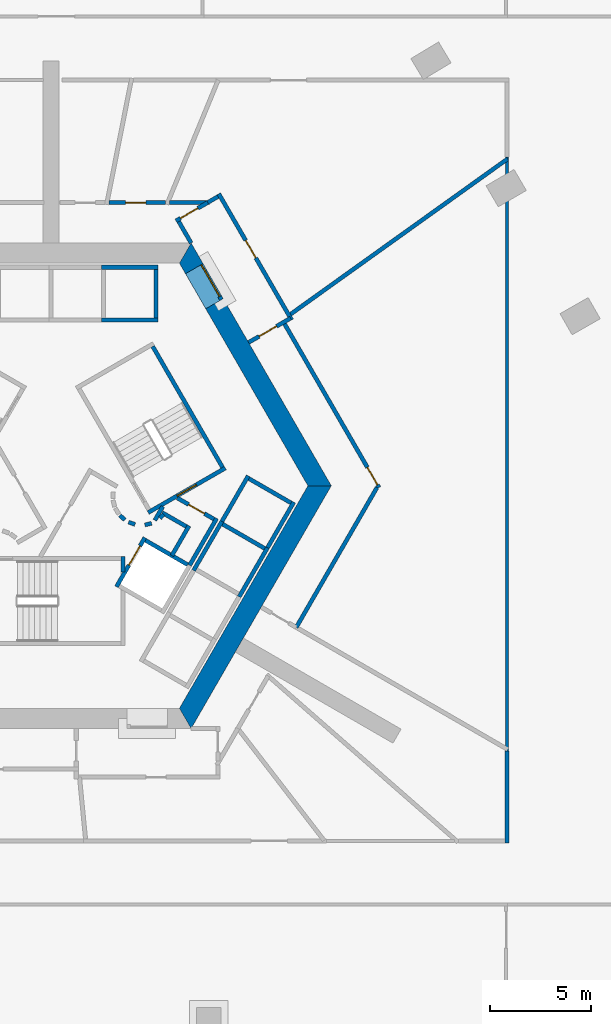
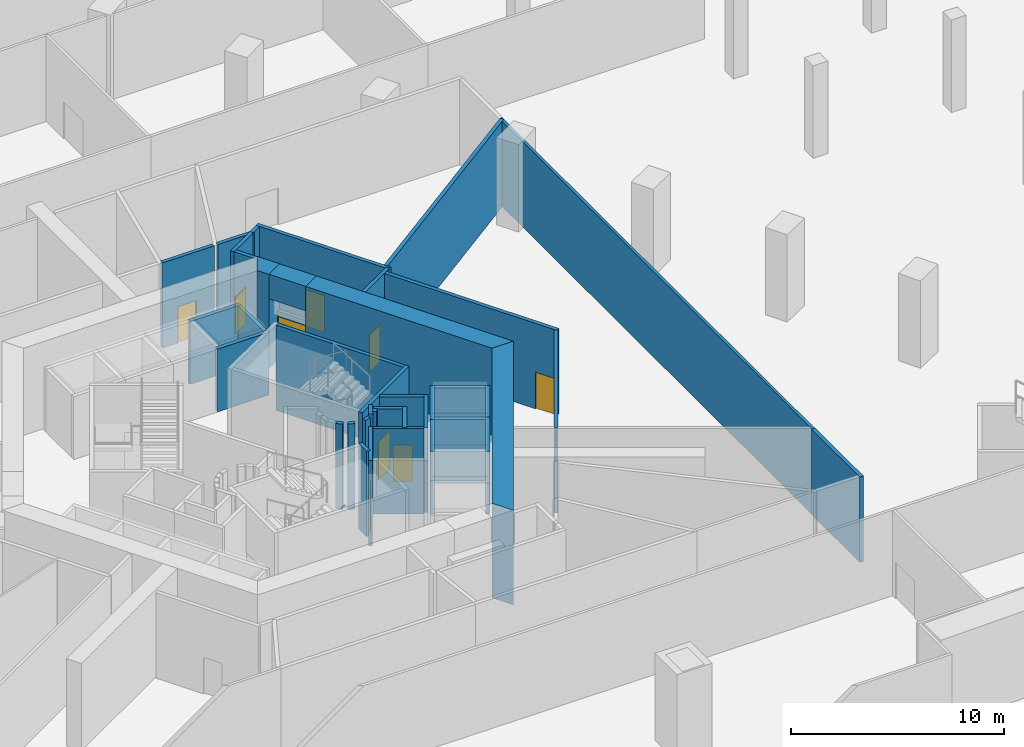
# One storey, part 9 of 20: 40 walls, 9 doors, 9 openings.
"""IFC4 building model written with IfcOpenShell, lengths in metres."""

from ifc_helpers import new_model, si_unit, direction, frame, frame_2d, origin, place, context, subcontext, project, spatial, polyline, rectangle, outline, extrude, material, layer, layer_set, type_object, element, fill, save


model = new_model("IFC4")

# Units and contexts
model_context = context("Model", 3, precision=1e-05, world=origin(), true_north=direction((0.0, 1.0)))
body_context = subcontext(model_context, "Body", "Model", "MODEL_VIEW")
ifc_project = project(units=[si_unit("LENGTHUNIT", "METRE"), si_unit("AREAUNIT", "SQUARE_METRE"), si_unit("VOLUMEUNIT", "CUBIC_METRE"), si_unit("PLANEANGLEUNIT", "RADIAN"), si_unit("MASSUNIT", "GRAM", prefix="KILO")], contexts=[model_context])

# Site, building, storey
site_placement = place(None, origin())
site = spatial("IfcSite", under=ifc_project, at=site_placement, CompositionType="ELEMENT")
building_placement = place(site_placement, origin())
building = spatial("IfcBuilding", under=site, at=building_placement, Name="Entoto Arch Interchange Tower", CompositionType="ELEMENT")
storey_placement = place(building_placement, frame((0.0, 0.0, -5.5)))
storey = spatial("IfcBuildingStorey", under=building, at=storey_placement, Name="B1", CompositionType="ELEMENT", Elevation=-5.5)

# Wall, opening, door
ifc_material_1 = material(Name="Reinforced concrete C40/50", Category="concrete")
ifc_layer_1 = layer(ifc_material_1, 0.199951171875)
ifc_layer_set_1 = layer_set([ifc_layer_1], Name="Reinforced concrete C40/50")
wall_type_1 = type_object("IfcWallType", Name="CORE GAP INFILL WALL", PredefinedType="PARTITIONING", material=ifc_layer_set_1)
wall_1_placement = place(storey_placement, frame((8.429931640625, 11.697998046875, 0.0), z_axis=(0.0, 0.0, 1.0), x_axis=(-0.50002537861, 0.866010750942, 0.0)))
wall_1 = element("IfcWall", 1, at=wall_1_placement, inside=storey, type_object=wall_type_1, Name="wall:B1:gap2", PredefinedType="PARTITIONING", context=body_context, shape_type="SweptSolid", body=[
    extrude(rectangle(XDim=2.0, YDim=0.199951171875, at=frame_2d((1.0, 0.0))), origin(), (0.0, 0.0, 1.0), 2.39990234375),
])
opening_1_placement = place(wall_1_placement, frame((0.18994140625, 0.0, 0.0)))
opening_1 = element("IfcOpeningElement", 2, at=opening_1_placement, cuts=wall_1, Name="Opening B1-D92", PredefinedType="OPENING", context=body_context, shape_type="SweptSolid", body=[
    extrude(rectangle(XDim=1.800048828125, YDim=2.10009765625, at=frame_2d((0.89990234375, 1.050048828125))), frame((0.0, 0.10986328125, 0.0), z_axis=(0.0, -1.0, 0.0), x_axis=(1.0, 0.0, 0.0)), (0.0, 0.0, 1.0), 0.219970703125),
])
ifc_material_2 = material(Name="Fire-rated Steel S235 door and frame", Category="steel")
door_type_1 = type_object("IfcDoorType", Name="DOOR FD-18 1800x2100", OperationType="DOUBLE_DOOR_SINGLE_SWING", PredefinedType="DOOR", material=ifc_material_2)
door_1_placement = place(opening_1_placement, origin())
door_1 = element("IfcDoor", 3, at=door_1_placement, inside=storey, type_object=door_type_1, Name="door:B1:gap2", OperationType="DOUBLE_DOOR_SINGLE_SWING", OverallHeight=2.10009765625, OverallWidth=1.800048828125, PredefinedType="DOOR", context=body_context, shape_type="SweptSolid", body=[
    extrude(rectangle(XDim=1.800048828125, YDim=2.10009765625, at=frame_2d((0.89990234375, 1.050048828125))), frame((0.0, 0.02490234375, 0.0), z_axis=(0.0, -1.0, 0.0), x_axis=(1.0, 0.0, 0.0)), (0.0, 0.0, 1.0), 0.050048828125),
])
fill(opening_1, door_1)

# Walls
ifc_material_3 = material(Name="Concrete C60/75", Category="concrete")
ifc_layer_2 = layer(ifc_material_3, 1.0)
ifc_layer_set_2 = layer_set([ifc_layer_2], Name="Concrete C60/75")
wall_type_2 = type_object("IfcWallType", Name="Core wall 1000 C60/75", PredefinedType="SHEAR", material=ifc_layer_set_2)
wall_2_placement = place(storey_placement, frame((0.0, 0.0, -0.419921875)))
element("IfcWall", 4, at=wall_2_placement, inside=storey, type_object=wall_type_2, Name="Core wall NE B1", PredefinedType="SHEAR", context=body_context, shape_type="SweptSolid", body=[
    extrude(outline(polyline([(8.51708984375, 11.748046875), (7.65087890625, 11.248046875), (12.701904296875, 2.5), (13.85595703125, 2.5), (8.51708984375, 11.748046875)])), origin(), (0.0, 0.0, 1.0), 5.419921875),
])
wall_3_placement = place(storey_placement, frame((0.0, 0.0, -0.419921875)))
element("IfcWall", 5, at=wall_3_placement, inside=storey, type_object=wall_type_2, Name="Core wall NE B1", PredefinedType="SHEAR", context=body_context, shape_type="SweptSolid", body=[
    extrude(outline(polyline([(6.65087890625, 12.97998046875), (7.51708984375, 13.47998046875), (6.927978515625, 14.5), (6.35107421875, 13.5), (6.65087890625, 12.97998046875)])), origin(), (0.0, 0.0, 1.0), 5.419921875),
])
wall_4_placement = place(storey_placement, frame((0.0, 0.0, 3.60009765625)))
element("IfcWall", 6, at=wall_4_placement, inside=storey, type_object=wall_type_2, Name="Core wall lintel NE B1", PredefinedType="SHEAR", context=body_context, shape_type="SweptSolid", body=[
    extrude(outline(polyline([(7.51708984375, 13.47998046875), (6.65087890625, 12.97998046875), (7.65087890625, 11.248046875), (8.51708984375, 11.748046875), (7.51708984375, 13.47998046875)])), origin(), (0.0, 0.0, 1.0), 1.39990234375),
])
wall_5_placement = place(storey_placement, frame((0.0, 0.0, -0.419921875)))
element("IfcWall", 7, at=wall_5_placement, inside=storey, type_object=wall_type_2, Name="Core wall SE B1", PredefinedType="SHEAR", context=body_context, shape_type="SweptSolid", body=[
    extrude(outline(polyline([(6.927978515625, -9.5), (13.85595703125, 2.5), (12.701904296875, 2.5), (6.35107421875, -8.5), (6.927978515625, -9.5)])), origin(), (0.0, 0.0, 1.0), 5.419921875),
])

# Wall, opening, door
ifc_material_4 = material(Name="Concrete C40/50", Category="concrete")
ifc_layer_3 = layer(ifc_material_4, 0.199951171875)
ifc_layer_set_3 = layer_set([ifc_layer_3], Name="Concrete C40/50")
wall_type_3 = type_object("IfcWallType", Name="LIFT SHAFT WALL 200", PredefinedType="STANDARD", material=ifc_layer_set_3)
wall_6_placement = place(storey_placement, frame((3.239990234375, -2.488037109375, 0.0), z_axis=(0.0, 0.0, 1.0), x_axis=(0.49994636267, 0.866056369097, 0.0)))
wall_6 = element("IfcWall", 8, at=wall_6_placement, inside=storey, type_object=wall_type_3, Name="Shaft wall SE1 front", PredefinedType="STANDARD", context=body_context, shape_type="SweptSolid", body=[
    extrude(rectangle(XDim=2.800048828125, YDim=0.199951171875, at=frame_2d((1.39990234375, 0.0))), origin(), (0.0, 0.0, 1.0), 4.89990234375),
])
opening_2_placement = place(wall_6_placement, frame((1.22509765625, 0.0, 0.0)))
opening_2 = element("IfcOpeningElement", 9, at=opening_2_placement, cuts=wall_6, Name="Opening LD-FF1-B1", PredefinedType="OPENING", context=body_context, shape_type="SweptSolid", body=[
    extrude(rectangle(XDim=1.10009765625, YDim=2.10009765625, at=frame_2d((0.550048828125, 1.050048828125))), frame((0.0, 0.10986328125, 0.0), z_axis=(0.0, -1.0, 0.0), x_axis=(1.0, 0.0, 0.0)), (0.0, 0.0, 1.0), 0.219970703125),
])
ifc_material_5 = material(Name="Stainless steel 1.4301 panels", Category="steel")
door_type_2 = type_object("IfcDoorType", Name="LIFT LANDING DOOR LD1 1100x2100", OperationType="SLIDING_TO_LEFT", PredefinedType="DOOR", material=ifc_material_5)
door_2_placement = place(opening_2_placement, origin())
door_2 = element("IfcDoor", 10, at=door_2_placement, inside=storey, type_object=door_type_2, Name="Lift landing door FF1 B1", OperationType="SLIDING_TO_LEFT", OverallHeight=2.10009765625, OverallWidth=1.10009765625, PredefinedType="DOOR", context=body_context, shape_type="SweptSolid", body=[
    extrude(rectangle(XDim=1.10009765625, YDim=2.10009765625, at=frame_2d((0.550048828125, 1.050048828125))), frame((0.0, 0.02490234375, 0.0), z_axis=(0.0, -1.0, 0.0), x_axis=(1.0, 0.0, 0.0)), (0.0, 0.0, 1.0), 0.050048828125),
])
fill(opening_2, door_2)

# Walls
wall_7_placement = place(storey_placement, frame((4.677001953125, -0.199951171875, 0.0), z_axis=(0.0, 0.0, 1.0), x_axis=(0.865973769406, -0.500089422704, 0.0)))
element("IfcWall", 11, at=wall_7_placement, inside=storey, type_object=wall_type_3, Name="Shaft wall SE1 cross 2", PredefinedType="STANDARD", context=body_context, shape_type="SweptSolid", body=[
    extrude(rectangle(XDim=2.3994140625, YDim=0.199951171875, at=frame_2d((1.19970703125, 0.0))), origin(), (0.0, 0.0, 1.0), 4.89990234375),
])
for number, where, z_axis, x_axis, name in (
    (12, (5.300048828125, 10.699951171875, 0.0), (0.0, 0.0, 1.0), (-1.0, 0.0, 0.0), "Pit wall LR1 1"),
    (13, (5.300048828125, 13.300048828125, 0.0), (0.0, 0.0, 1.0), (-1.0, 0.0, 0.0), "Pit wall LR1 2"),
):
    element("IfcWall", number, at=place(storey_placement, frame(where, z_axis=z_axis, x_axis=x_axis)), inside=storey, type_object=wall_type_3, Name=name, PredefinedType="STANDARD", context=body_context, shape_type="SweptSolid", body=[
        extrude(rectangle(XDim=2.800048828125, YDim=0.199951171875, at=frame_2d((1.39990234375, 0.0))), origin(), (0.0, 0.0, 1.0), 3.60009765625),
    ])
wall_8_placement = place(storey_placement, frame((5.199951171875, 10.800048828125, 0.0), z_axis=(0.0, 0.0, 1.0), x_axis=(0.0, 1.0, 0.0)))
element("IfcWall", 14, at=wall_8_placement, inside=storey, type_object=wall_type_3, Name="Pit wall LR1 3", PredefinedType="STANDARD", context=body_context, shape_type="SweptSolid", body=[
    extrude(rectangle(XDim=2.39990234375, YDim=0.199951171875, at=frame_2d((1.199951171875, 0.0))), origin(), (0.0, 0.0, 1.0), 3.60009765625),
])
for number, where, z_axis, x_axis, name in (
    (15, (7.051025390625, -1.68701171875, 0.0), (0.0, 0.0, 1.0), (0.49994636267, 0.866056369097, 0.0), "Pit wall LR7 1"),
    (16, (9.302978515625, -2.987060546875, 0.0), (0.0, 0.0, 1.0), (0.49994636267, 0.866056369097, 0.0), "Pit wall LR7 2"),
):
    element("IfcWall", number, at=place(storey_placement, frame(where, z_axis=z_axis, x_axis=x_axis)), inside=storey, type_object=wall_type_3, Name=name, PredefinedType="STANDARD", context=body_context, shape_type="SweptSolid", body=[
        extrude(rectangle(XDim=2.800048828125, YDim=0.199951171875, at=frame_2d((1.39990234375, 0.0))), origin(), (0.0, 0.0, 1.0), 3.60009765625),
    ])
wall_9_placement = place(storey_placement, frame((8.488037109375, 0.60205078125, 0.0), z_axis=(0.0, 0.0, 1.0), x_axis=(0.865973769406, -0.500089422704, 0.0)))
element("IfcWall", 17, at=wall_9_placement, inside=storey, type_object=wall_type_3, Name="Pit wall LR7 4", PredefinedType="STANDARD", context=body_context, shape_type="SweptSolid", body=[
    extrude(rectangle(XDim=2.3994140625, YDim=0.199951171875, at=frame_2d((1.19970703125, 0.0))), origin(), (0.0, 0.0, 1.0), 3.60009765625),
])
for number, where, z_axis, x_axis, name in (
    (18, (8.35107421875, 0.56494140625, 0.0), (0.0, 0.0, 1.0), (0.49994636267, 0.866056369097, 0.0), "Pit wall LR8 1"),
    (19, (10.60302734375, -0.735107421875, 0.0), (0.0, 0.0, 1.0), (0.49994636267, 0.866056369097, 0.0), "Pit wall LR8 2"),
):
    element("IfcWall", number, at=place(storey_placement, frame(where, z_axis=z_axis, x_axis=x_axis)), inside=storey, type_object=wall_type_3, Name=name, PredefinedType="STANDARD", context=body_context, shape_type="SweptSolid", body=[
        extrude(rectangle(XDim=2.800048828125, YDim=0.199951171875, at=frame_2d((1.39990234375, 0.0))), origin(), (0.0, 0.0, 1.0), 3.60009765625),
    ])
wall_10_placement = place(storey_placement, frame((9.7880859375, 2.85302734375, 0.0), z_axis=(0.0, 0.0, 1.0), x_axis=(0.865973769406, -0.500089422704, 0.0)))
element("IfcWall", 20, at=wall_10_placement, inside=storey, type_object=wall_type_3, Name="Pit wall LR8 4", PredefinedType="STANDARD", context=body_context, shape_type="SweptSolid", body=[
    extrude(rectangle(XDim=2.3994140625, YDim=0.199951171875, at=frame_2d((1.19970703125, 0.0))), origin(), (0.0, 0.0, 1.0), 3.60009765625),
])
ifc_material_6 = material(Name="Gypsum board partition on steel studs", Category="steel")
ifc_layer_4 = layer(ifc_material_6, 0.14990234375)
ifc_layer_set_4 = layer_set([ifc_layer_4], Name="Gypsum board partition on steel studs")
wall_type_4 = type_object("IfcWallType", Name="PARTITION 150", PredefinedType="PARTITIONING", material=ifc_layer_set_4)
wall_11_placement = place(storey_placement, frame((22.550048828125, 18.742919921875, 0.0), z_axis=(0.0, 0.0, 1.0), x_axis=(0.0, -1.0, 0.0)))
element("IfcWall", 21, at=wall_11_placement, inside=storey, type_object=wall_type_4, Name="wall:B1:p042", PredefinedType="PARTITIONING", context=body_context, shape_type="SweptSolid", body=[
    extrude(rectangle(XDim=29.36181640625, YDim=0.14990234375, at=frame_2d((14.680908203125, 0.0))), origin(), (0.0, 0.0, 1.0), 4.89990234375),
])
ifc_layer_5 = layer(ifc_material_6, 0.199951171875)
ifc_layer_set_5 = layer_set([ifc_layer_5], Name="Gypsum board partition on steel studs")
wall_type_5 = type_object("IfcWallType", Name="PARTITION 200", PredefinedType="PARTITIONING", material=ifc_layer_set_5)
wall_12_placement = place(storey_placement, frame((22.550048828125, -10.618896484375, 0.0), z_axis=(0.0, 0.0, 1.0), x_axis=(0.0, -1.0, 0.0)))
element("IfcWall", 22, at=wall_12_placement, inside=storey, type_object=wall_type_5, Name="wall:B1:p025", PredefinedType="PARTITIONING", context=body_context, shape_type="SweptSolid", body=[
    extrude(rectangle(XDim=4.531005859375, YDim=0.199951171875, at=frame_2d((2.265625, 0.0))), origin(), (0.0, 0.0, 1.0), 4.89990234375),
])

# Wall, opening, door
wall_13_placement = place(storey_placement, frame((11.844970703125, 10.782958984375, 0.0), z_axis=(0.0, 0.0, 1.0), x_axis=(-0.865973769406, -0.500089422704, 0.0)))
wall_13 = element("IfcWall", 23, at=wall_13_placement, inside=storey, type_object=wall_type_5, Name="wall:B1:p027", PredefinedType="PARTITIONING", context=body_context, shape_type="SweptSolid", body=[
    extrude(rectangle(XDim=2.3994140625, YDim=0.199951171875, at=frame_2d((1.19970703125, 0.0))), origin(), (0.0, 0.0, 1.0), 4.89990234375),
])
opening_3_placement = place(wall_13_placement, frame((0.800048828125, 0.0, 0.0)))
opening_3 = element("IfcOpeningElement", 24, at=opening_3_placement, cuts=wall_13, Name="Opening B1-D07", PredefinedType="OPENING", context=body_context, shape_type="SweptSolid", body=[
    extrude(rectangle(XDim=1.0, YDim=2.10009765625, at=frame_2d((0.5, 1.050048828125))), frame((0.0, 0.10986328125, 0.0), z_axis=(0.0, -1.0, 0.0), x_axis=(1.0, 0.0, 0.0)), (0.0, 0.0, 1.0), 0.219970703125),
])
door_type_3 = type_object("IfcDoorType", Name="DOOR FD-10 1000x2100", OperationType="SINGLE_SWING_LEFT", PredefinedType="DOOR", material=ifc_material_2)
door_3_placement = place(opening_3_placement, origin())
door_3 = element("IfcDoor", 25, at=door_3_placement, inside=storey, type_object=door_type_3, Name="door:B1:07", OperationType="SINGLE_SWING_LEFT", OverallHeight=2.10009765625, OverallWidth=1.0, PredefinedType="DOOR", context=body_context, shape_type="SweptSolid", body=[
    extrude(rectangle(XDim=1.0, YDim=2.10009765625, at=frame_2d((0.5, 1.050048828125))), frame((0.0, 0.02490234375, 0.0), z_axis=(0.0, -1.0, 0.0), x_axis=(1.0, 0.0, 0.0)), (0.0, 0.0, 1.0), 0.050048828125),
])
fill(opening_3, door_3)

wall_14_placement = place(storey_placement, frame((6.179931640625, 15.594970703125, 0.0), z_axis=(0.0, 0.0, 1.0), x_axis=(0.866102512622, 0.499866419787, 0.0)))
wall_14 = element("IfcWall", 26, at=wall_14_placement, inside=storey, type_object=wall_type_5, Name="wall:B1:p028", PredefinedType="PARTITIONING", context=body_context, shape_type="SweptSolid", body=[
    extrude(rectangle(XDim=1.810546875, YDim=0.199951171875, at=frame_2d((0.9052734375, 0.0))), origin(), (0.0, 0.0, 1.0), 4.89990234375),
])
opening_4_placement = place(wall_14_placement, frame((0.25390625, 0.0, 0.0)))
opening_4 = element("IfcOpeningElement", 27, at=opening_4_placement, cuts=wall_14, Name="Opening B1-D08", PredefinedType="OPENING", context=body_context, shape_type="SweptSolid", body=[
    extrude(rectangle(XDim=1.0, YDim=2.10009765625, at=frame_2d((0.5, 1.050048828125))), frame((0.0, 0.10986328125, 0.0), z_axis=(0.0, -1.0, 0.0), x_axis=(1.0, 0.0, 0.0)), (0.0, 0.0, 1.0), 0.219970703125),
])
door_4_placement = place(opening_4_placement, origin())
door_4 = element("IfcDoor", 28, at=door_4_placement, inside=storey, type_object=door_type_3, Name="door:B1:08", OperationType="SINGLE_SWING_RIGHT", OverallHeight=2.10009765625, OverallWidth=1.0, PredefinedType="DOOR", context=body_context, shape_type="SweptSolid", body=[
    extrude(rectangle(XDim=1.0, YDim=2.10009765625, at=frame_2d((0.5, 1.050048828125))), frame((0.0, 0.02490234375, 0.0), z_axis=(0.0, -1.0, 0.0), x_axis=(1.0, 0.0, 0.0)), (0.0, 0.0, 1.0), 0.050048828125),
])
fill(opening_4, door_4)

# Walls
wall_15_placement = place(storey_placement, frame((6.31689453125, 15.55810546875, 0.0), z_axis=(0.0, 0.0, 1.0), x_axis=(0.500114474492, -0.865959301817, 0.0)))
element("IfcWall", 29, at=wall_15_placement, inside=storey, type_object=wall_type_5, Name="wall:B1:p029", PredefinedType="PARTITIONING", context=body_context, shape_type="SweptSolid", body=[
    extrude(rectangle(XDim=1.221923828125, YDim=0.199951171875, at=frame_2d((0.61083984375, 0.0))), origin(), (0.0, 0.0, 1.0), 4.89990234375),
])
wall_16_placement = place(storey_placement, frame((7.748046875, 16.5, 0.0), z_axis=(0.0, 0.0, 1.0), x_axis=(0.865681519127, 0.500595153234, 0.0)))
element("IfcWall", 30, at=wall_16_placement, inside=storey, type_object=wall_type_5, Name="wall:B1:p030", PredefinedType="PARTITIONING", context=body_context, shape_type="SweptSolid", body=[
    extrude(rectangle(XDim=0.589111328125, YDim=0.199951171875, at=frame_2d((0.29443359375, 0.0))), origin(), (0.0, 0.0, 1.0), 4.89990234375),
])

# Wall, opening, door
wall_17_placement = place(storey_placement, frame((8.294921875, 16.931884765625, 0.0), z_axis=(0.0, 0.0, 1.0), x_axis=(0.499982693035, -0.866035395735, 0.0)))
wall_17 = element("IfcWall", 31, at=wall_17_placement, inside=storey, type_object=wall_type_5, Name="wall:B1:p031", PredefinedType="PARTITIONING", context=body_context, shape_type="SweptSolid", body=[
    extrude(rectangle(XDim=7.200439453125, YDim=0.199951171875, at=frame_2d((3.60009765625, 0.0))), origin(), (0.0, 0.0, 1.0), 4.89990234375),
])
opening_5_placement = place(wall_17_placement, frame((2.658935546875, 0.0, 0.0)))
opening_5 = element("IfcOpeningElement", 32, at=opening_5_placement, cuts=wall_17, Name="Opening B1-D09", PredefinedType="OPENING", context=body_context, shape_type="SweptSolid", body=[
    extrude(rectangle(XDim=1.0, YDim=2.10009765625, at=frame_2d((0.5, 1.050048828125))), frame((0.0, 0.10986328125, 0.0), z_axis=(0.0, -1.0, 0.0), x_axis=(1.0, 0.0, 0.0)), (0.0, 0.0, 1.0), 0.219970703125),
])
door_5_placement = place(opening_5_placement, origin())
door_5 = element("IfcDoor", 33, at=door_5_placement, inside=storey, type_object=door_type_3, Name="door:B1:09", OperationType="SINGLE_SWING_LEFT", OverallHeight=2.10009765625, OverallWidth=1.0, PredefinedType="DOOR", context=body_context, shape_type="SweptSolid", body=[
    extrude(rectangle(XDim=1.0, YDim=2.10009765625, at=frame_2d((0.5, 1.050048828125))), frame((0.0, 0.02490234375, 0.0), z_axis=(0.0, -1.0, 0.0), x_axis=(1.0, 0.0, 0.0)), (0.0, 0.0, 1.0), 0.050048828125),
])
fill(opening_5, door_5)

wall_18_placement = place(storey_placement, frame((11.4990234375, 10.5830078125, 0.0), z_axis=(0.0, 0.0, 1.0), x_axis=(0.499933044277, -0.866064057238, 0.0)))
wall_18 = element("IfcWall", 34, at=wall_18_placement, inside=storey, type_object=wall_type_5, Name="wall:B1:p032", PredefinedType="PARTITIONING", context=body_context, shape_type="SweptSolid", body=[
    extrude(rectangle(XDim=9.433349609375, YDim=0.199951171875, at=frame_2d((4.716796875, 0.0))), origin(), (0.0, 0.0, 1.0), 4.89990234375),
])
opening_6_placement = place(wall_18_placement, frame((8.282958984375, 0.0, 0.0)))
opening_6 = element("IfcOpeningElement", 35, at=opening_6_placement, cuts=wall_18, Name="Opening B1-D10", PredefinedType="OPENING", context=body_context, shape_type="SweptSolid", body=[
    extrude(rectangle(XDim=1.0, YDim=2.10009765625, at=frame_2d((0.5, 1.050048828125))), frame((0.0, 0.10986328125, 0.0), z_axis=(0.0, -1.0, 0.0), x_axis=(1.0, 0.0, 0.0)), (0.0, 0.0, 1.0), 0.219970703125),
])
ifc_material_7 = material(Name="Timber door leaf in Steel S235 frame", Category="steel")
door_type_4 = type_object("IfcDoorType", Name="DOOR DS-10 1000x2100", OperationType="SINGLE_SWING_LEFT", PredefinedType="DOOR", material=ifc_material_7)
door_6_placement = place(opening_6_placement, origin())
door_6 = element("IfcDoor", 36, at=door_6_placement, inside=storey, type_object=door_type_4, Name="door:B1:10", OperationType="SINGLE_SWING_RIGHT", OverallHeight=2.10009765625, OverallWidth=1.0, PredefinedType="DOOR", context=body_context, shape_type="SweptSolid", body=[
    extrude(rectangle(XDim=1.0, YDim=2.10009765625, at=frame_2d((0.5, 1.050048828125))), frame((0.0, 0.02490234375, 0.0), z_axis=(0.0, -1.0, 0.0), x_axis=(1.0, 0.0, 0.0)), (0.0, 0.0, 1.0), 0.050048828125),
])
fill(opening_6, door_6)

# Walls
wall_19_placement = place(storey_placement, frame((16.114990234375, 2.4130859375, 0.0), z_axis=(0.0, 0.0, 1.0), x_axis=(-0.499971321283, -0.866041960816, 0.0)))
element("IfcWall", 37, at=wall_19_placement, inside=storey, type_object=wall_type_5, Name="wall:B1:p033", PredefinedType="PARTITIONING", context=body_context, shape_type="SweptSolid", body=[
    extrude(rectangle(XDim=7.982421875, YDim=0.199951171875, at=frame_2d((3.9912109375, 0.0))), origin(), (0.0, 0.0, 1.0), 4.89990234375),
])
wall_20_placement = place(storey_placement, frame((5.87109375, 16.5, 0.0), z_axis=(0.0, 0.0, 1.0), x_axis=(1.0, 0.0, 0.0)))
element("IfcWall", 38, at=wall_20_placement, inside=storey, type_object=wall_type_5, Name="wall:B1:p034", PredefinedType="PARTITIONING", context=body_context, shape_type="SweptSolid", body=[
    extrude(rectangle(XDim=1.976806640625, YDim=0.199951171875, at=frame_2d((0.98828125, 0.0))), origin(), (0.0, 0.0, 1.0), 4.89990234375),
])

# Wall, opening, door
wall_21_placement = place(storey_placement, frame((2.8720703125, 16.5, 0.0), z_axis=(0.0, 0.0, 1.0), x_axis=(1.0, 0.0, 0.0)))
wall_21 = element("IfcWall", 39, at=wall_21_placement, inside=storey, type_object=wall_type_5, Name="wall:B1:p036", PredefinedType="PARTITIONING", context=body_context, shape_type="SweptSolid", body=[
    extrude(rectangle(XDim=2.798828125, YDim=0.199951171875, at=frame_2d((1.3994140625, 0.0))), origin(), (0.0, 0.0, 1.0), 4.89990234375),
])
opening_7_placement = place(wall_21_placement, frame((0.821044921875, 0.0, 0.0)))
opening_7 = element("IfcOpeningElement", 40, at=opening_7_placement, cuts=wall_21, Name="Opening B1-D11", PredefinedType="OPENING", context=body_context, shape_type="SweptSolid", body=[
    extrude(rectangle(XDim=1.0, YDim=2.10009765625, at=frame_2d((0.5, 1.050048828125))), frame((0.0, 0.10986328125, 0.0), z_axis=(0.0, -1.0, 0.0), x_axis=(1.0, 0.0, 0.0)), (0.0, 0.0, 1.0), 0.219970703125),
])
door_7_placement = place(opening_7_placement, origin())
door_7 = element("IfcDoor", 41, at=door_7_placement, inside=storey, type_object=door_type_4, Name="door:B1:11", OperationType="SINGLE_SWING_LEFT", OverallHeight=2.10009765625, OverallWidth=1.0, PredefinedType="DOOR", context=body_context, shape_type="SweptSolid", body=[
    extrude(rectangle(XDim=1.0, YDim=2.10009765625, at=frame_2d((0.5, 1.050048828125))), frame((0.0, 0.02490234375, 0.0), z_axis=(0.0, -1.0, 0.0), x_axis=(1.0, 0.0, 0.0)), (0.0, 0.0, 1.0), 0.050048828125),
])
fill(opening_7, door_7)

# Walls
wall_22_placement = place(storey_placement, frame((22.570068359375, 18.657958984375, 0.0), z_axis=(0.0, 0.0, 1.0), x_axis=(-0.813097421088, -0.582127635334, 0.0)))
element("IfcWall", 42, at=wall_22_placement, inside=storey, type_object=wall_type_5, Name="wall:B1:p038", PredefinedType="PARTITIONING", context=body_context, shape_type="SweptSolid", body=[
    extrude(rectangle(XDim=13.288818359375, YDim=0.199951171875, at=frame_2d((6.64453125, 0.0))), origin(), (0.0, 0.0, 1.0), 4.89990234375),
])
wall_23_placement = place(storey_placement, frame((5.389892578125, 0.89794921875, 0.0), z_axis=(0.0, 0.0, 1.0), x_axis=(0.673828488714, 0.738887791073, 0.0)))
element("IfcWall", 43, at=wall_23_placement, inside=storey, type_object=wall_type_5, Name="wall:B1:p131", PredefinedType="PARTITIONING", context=body_context, shape_type="SweptSolid", body=[
    extrude(rectangle(XDim=0.2626953125, YDim=0.199951171875, at=frame_2d((0.13134765625, 0.0))), origin(), (0.0, 0.0, 1.0), 4.89990234375),
])
wall_24_placement = place(storey_placement, frame((5.4990234375, 1.172119140625, 0.0), z_axis=(0.0, 0.0, 1.0), x_axis=(0.866333505267, -0.499465972466, 0.0)))
element("IfcWall", 44, at=wall_24_placement, inside=storey, type_object=wall_type_5, Name="wall:B1:p132", PredefinedType="PARTITIONING", context=body_context, shape_type="SweptSolid", body=[
    extrude(rectangle(XDim=1.37353515625, YDim=0.199951171875, at=frame_2d((0.686767578125, 0.0))), origin(), (0.0, 0.0, 1.0), 4.89990234375),
])
wall_25_placement = place(storey_placement, frame((6.825927734375, 0.52197265625, 0.0), z_axis=(0.0, 0.0, 1.0), x_axis=(-0.500016722714, -0.866015748706, 0.0)))
element("IfcWall", 45, at=wall_25_placement, inside=storey, type_object=wall_type_5, Name="wall:B1:p133", PredefinedType="PARTITIONING", context=body_context, shape_type="SweptSolid", body=[
    extrude(rectangle(XDim=1.69970703125, YDim=0.199951171875, at=frame_2d((0.849853515625, 0.0))), origin(), (0.0, 0.0, 1.0), 4.89990234375),
])
wall_26_placement = place(storey_placement, frame((8.19189453125, 0.887939453125, 0.0), z_axis=(0.0, 0.0, 1.0), x_axis=(-0.499940625693, -0.866059680843, 0.0)))
element("IfcWall", 46, at=wall_26_placement, inside=storey, type_object=wall_type_5, Name="wall:B1:p134", PredefinedType="PARTITIONING", context=body_context, shape_type="SweptSolid", body=[
    extrude(rectangle(XDim=2.679931640625, YDim=0.199951171875, at=frame_2d((1.33984375, 0.0))), origin(), (0.0, 0.0, 1.0), 4.89990234375),
])
wall_27_placement = place(storey_placement, frame((5.135009765625, 0.79296875, 0.0), z_axis=(0.0, 0.0, 1.0), x_axis=(0.499526442893, 0.866298639529, 0.0)))
element("IfcWall", 47, at=wall_27_placement, inside=storey, type_object=wall_type_5, Name="wall:B1:p135", PredefinedType="PARTITIONING", context=body_context, shape_type="SweptSolid", body=[
    extrude(rectangle(XDim=0.790771484375, YDim=0.199951171875, at=frame_2d((0.3955078125, 0.0))), origin(), (0.0, 0.0, 1.0), 4.89990234375),
])

# Wall, opening, door
wall_28_placement = place(storey_placement, frame((6.25, 1.89404296875, 0.0), z_axis=(0.0, 0.0, 1.0), x_axis=(0.866043184279, -0.499969202016, 0.0)))
wall_28 = element("IfcWall", 48, at=wall_28_placement, inside=storey, type_object=wall_type_5, Name="wall:B1:p136", PredefinedType="PARTITIONING", context=body_context, shape_type="SweptSolid", body=[
    extrude(rectangle(XDim=2.084228515625, YDim=0.199951171875, at=frame_2d((1.0419921875, 0.0))), origin(), (0.0, 0.0, 1.0), 4.89990234375),
])
opening_8_placement = place(wall_28_placement, frame((0.64208984375, 0.0, 0.0)))
opening_8 = element("IfcOpeningElement", 49, at=opening_8_placement, cuts=wall_28, Name="Opening B1-D44", PredefinedType="OPENING", context=body_context, shape_type="SweptSolid", body=[
    extrude(rectangle(XDim=0.89990234375, YDim=2.10009765625, at=frame_2d((0.449951171875, 1.050048828125))), frame((0.0, 0.10986328125, 0.0), z_axis=(0.0, -1.0, 0.0), x_axis=(1.0, 0.0, 0.0)), (0.0, 0.0, 1.0), 0.219970703125),
])
door_type_5 = type_object("IfcDoorType", Name="DOOR DS-09 900x2100", OperationType="SINGLE_SWING_LEFT", PredefinedType="DOOR", material=ifc_material_7)
door_8_placement = place(opening_8_placement, origin())
door_8 = element("IfcDoor", 50, at=door_8_placement, inside=storey, type_object=door_type_5, Name="door:B1:44", OperationType="SINGLE_SWING_LEFT", OverallHeight=2.10009765625, OverallWidth=0.89990234375, PredefinedType="DOOR", context=body_context, shape_type="SweptSolid", body=[
    extrude(rectangle(XDim=0.89990234375, YDim=2.10009765625, at=frame_2d((0.449951171875, 1.050048828125))), frame((0.0, 0.02490234375, 0.0), z_axis=(0.0, -1.0, 0.0), x_axis=(1.0, 0.0, 0.0)), (0.0, 0.0, 1.0), 0.050048828125),
])
fill(opening_8, door_8)

# Walls
wall_29_placement = place(storey_placement, frame((3.404052734375, 1.0390625, 0.0), z_axis=(0.0, 0.0, 1.0), x_axis=(0.740267097712, -0.672312891476, 0.0)))
element("IfcWall", 51, at=wall_29_placement, inside=storey, type_object=wall_type_5, Name="wall:B1:p145", PredefinedType="PARTITIONING", context=body_context, shape_type="SweptSolid", body=[
    extrude(rectangle(XDim=0.337646484375, YDim=0.199951171875, at=frame_2d((0.1689453125, 0.0))), origin(), (0.0, 0.0, 1.0), 4.89990234375),
])
wall_30_placement = place(storey_placement, frame((3.837890625, 0.701904296875, 0.0), z_axis=(0.0, 0.0, 1.0), x_axis=(0.941035081519, -0.338308993895, 0.0)))
element("IfcWall", 52, at=wall_30_placement, inside=storey, type_object=wall_type_5, Name="wall:B1:p146", PredefinedType="PARTITIONING", context=body_context, shape_type="SweptSolid", body=[
    extrude(rectangle(XDim=0.3369140625, YDim=0.199951171875, at=frame_2d((0.16845703125, 0.0))), origin(), (0.0, 0.0, 1.0), 4.89990234375),
])
wall_31_placement = place(storey_placement, frame((4.64404296875, 0.56396484375, 0.0), z_axis=(0.0, 0.0, 1.0), x_axis=(0.969929076366, 0.243387729394, 0.0)))
element("IfcWall", 53, at=wall_31_placement, inside=storey, type_object=wall_type_5, Name="wall:B1:p147", PredefinedType="PARTITIONING", context=body_context, shape_type="SweptSolid", body=[
    extrude(rectangle(XDim=0.337158203125, YDim=0.199951171875, at=frame_2d((0.16845703125, 0.0))), origin(), (0.0, 0.0, 1.0), 4.89990234375),
])
ifc_layer_6 = layer(ifc_material_4, 0.199951171875)
ifc_layer_set_6 = layer_set([ifc_layer_6], Name="Concrete C40/50")
wall_type_6 = type_object("IfcWallType", Name="STAIR ENCLOSURE WALL 200", PredefinedType="STANDARD", material=ifc_layer_set_6)
wall_32_placement = place(storey_placement, frame((3.550048828125, -1.0, 0.0), z_axis=(0.0, 0.0, 1.0), x_axis=(0.0, -1.0, 0.0)))
element("IfcWall", 54, at=wall_32_placement, inside=storey, type_object=wall_type_6, Name="Stair wall ST-S far return", PredefinedType="STANDARD", context=body_context, shape_type="SweptSolid", body=[
    extrude(rectangle(XDim=0.7509765625, YDim=0.199951171875, at=frame_2d((0.37548828125, 0.0))), origin(), (0.0, 0.0, 1.0), 4.89990234375),
])

# Wall, opening, door
wall_33_placement = place(storey_placement, frame((4.805908203125, 1.176025390625, 0.0), z_axis=(0.0, 0.0, 1.0), x_axis=(0.866059941101, 0.499940174841, 0.0)))
wall_33 = element("IfcWall", 55, at=wall_33_placement, inside=storey, type_object=wall_type_6, Name="Stair wall ST-NE near", PredefinedType="STANDARD", context=body_context, shape_type="SweptSolid", body=[
    extrude(rectangle(XDim=4.400390625, YDim=0.199951171875, at=frame_2d((2.2001953125, 0.0))), origin(), (0.0, 0.0, 1.0), 4.89990234375),
])
opening_9_placement = place(wall_33_placement, frame((1.64990234375, 0.0, 0.0)))
opening_9 = element("IfcOpeningElement", 56, at=opening_9_placement, cuts=wall_33, Name="Opening SD-ST-NE-B1-E", PredefinedType="OPENING", context=body_context, shape_type="SweptSolid", body=[
    extrude(rectangle(XDim=1.10009765625, YDim=2.199951171875, at=frame_2d((0.550048828125, 1.10009765625))), frame((0.0, 0.10986328125, 0.0), z_axis=(0.0, -1.0, 0.0), x_axis=(1.0, 0.0, 0.0)), (0.0, 0.0, 1.0), 0.219970703125),
])
ifc_material_8 = material(Name="Steel S235", Category="steel")
door_type_6 = type_object("IfcDoorType", Name="STAIR DOOR SD1 1100x2200", OperationType="SINGLE_SWING_LEFT", PredefinedType="DOOR", material=ifc_material_8)
door_9_placement = place(opening_9_placement, origin())
door_9 = element("IfcDoor", 57, at=door_9_placement, inside=storey, type_object=door_type_6, Name="Stair door ST-NE B1 end", OperationType="SINGLE_SWING_LEFT", OverallHeight=2.199951171875, OverallWidth=1.10009765625, PredefinedType="DOOR", context=body_context, shape_type="SweptSolid", body=[
    extrude(rectangle(XDim=1.10009765625, YDim=2.199951171875, at=frame_2d((0.550048828125, 1.10009765625))), frame((0.0, 0.02490234375, 0.0), z_axis=(0.0, -1.0, 0.0), x_axis=(1.0, 0.0, 0.0)), (0.0, 0.0, 1.0), 0.050048828125),
])
fill(opening_9, door_9)

# Wall
wall_34_placement = place(storey_placement, frame((8.47998046875, 3.412109375, 0.0), z_axis=(0.0, 0.0, 1.0), x_axis=(-0.499978703459, 0.866037698999, 0.0)))
element("IfcWall", 58, at=wall_34_placement, inside=storey, type_object=wall_type_6, Name="Stair wall ST-NE back", PredefinedType="STANDARD", context=body_context, shape_type="SweptSolid", body=[
    extrude(rectangle(XDim=6.900146484375, YDim=0.199951171875, at=frame_2d((3.4501953125, 0.0))), origin(), (0.0, 0.0, 1.0), 4.89990234375),
])

save(model, "model.ifc")
